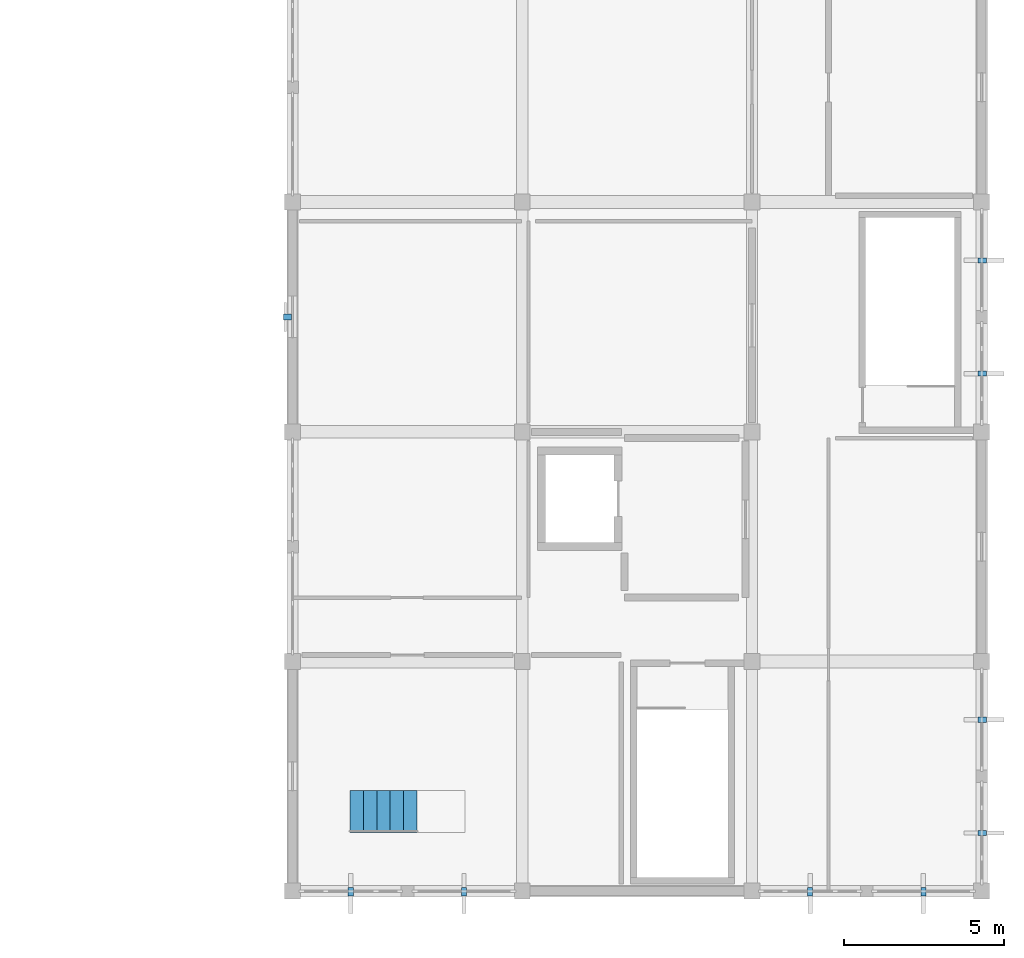
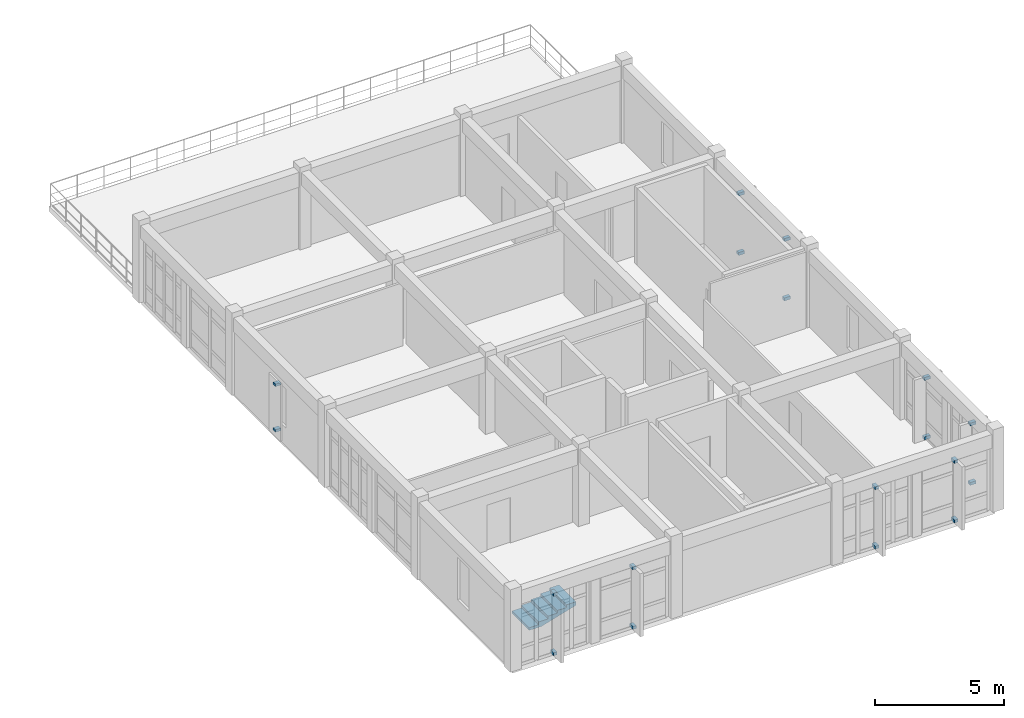
# One storey, part 13 of 14: 18 discrete accessories, 1 stair flight, 1 element without a shape of its own.
"""IFC4 building model written with IfcOpenShell, lengths in metres."""

from ifc_helpers import new_model, si_unit, direction, frame, origin, origin_2d, place, context, subcontext, project, spatial, polyline, rectangle, outline, extrude, material, type_object, element, aggregate, save


model = new_model("IFC4")

# Units and contexts
model_context = context("Model", 3, precision=1e-05, world=origin(), true_north=direction((0.0, 1.0)))
body_context = subcontext(model_context, "Body", "Model", "MODEL_VIEW")
ifc_project = project(units=[si_unit("LENGTHUNIT", "METRE"), si_unit("AREAUNIT", "SQUARE_METRE"), si_unit("VOLUMEUNIT", "CUBIC_METRE"), si_unit("PLANEANGLEUNIT", "RADIAN"), si_unit("MASSUNIT", "GRAM", prefix="KILO")], contexts=[model_context])

# Site, building, storey
site_placement = place(None, origin())
site = spatial("IfcSite", under=ifc_project, at=site_placement, CompositionType="ELEMENT")
building_placement = place(site_placement, origin())
building = spatial("IfcBuilding", under=site, at=building_placement, Name="Koriwan Promenade Central Fire Station", CompositionType="ELEMENT")
storey_placement = place(building_placement, frame((0.0, 0.0, 21.300048828125)))
storey = spatial("IfcBuildingStorey", under=building, at=storey_placement, Name="L05", CompositionType="ELEMENT", Elevation=21.300048828125)

# Stair, stair flight
ifc_material_1 = material(Name="Concrete C35/45", Category="concrete")
stair_type = type_object("IfcStairType", Name="StraightPlatformStair_6R", PredefinedType="STRAIGHT_RUN_STAIR", material=ifc_material_1)
stair_placement = place(storey_placement, origin())
stair = element("IfcStair", 1, at=stair_placement, inside=storey, type_object=stair_type, Name="L05 speaker dais stair SPS-05", PredefinedType="STRAIGHT_RUN_STAIR")
stair_flight_type = type_object("IfcStairFlightType", Name="StraightPlatformFlight_6R", PredefinedType="STRAIGHT", material=ifc_material_1)
stair_flight_placement = place(storey_placement, frame((153.0, 2.5, 0.0), z_axis=(0.0, 0.0, 1.0), x_axis=(1.0, 0.0, 0.0)))
stair_flight = element("IfcStairFlight", 2, at=stair_flight_placement, type_object=stair_flight_type, Name="SPS-05 flight 1", NumberOfRisers=6, NumberOfTreads=5, PredefinedType="STRAIGHT", RiserHeight=0.125, TreadLength=0.42, context=body_context, shape_type="SweptSolid", body=[
    extrude(outline(polyline([(0.0, 0.0), (0.0, 0.125), (0.419921875, 0.125), (0.419921875, 0.25), (0.840087890625, 0.25), (0.840087890625, 0.375), (1.260009765625, 0.375), (1.260009765625, 0.5), (1.679931640625, 0.5), (1.679931640625, 0.625), (2.10009765625, 0.625), (2.10009765625, 0.75), (2.10009765625, 0.458251953125), (0.560546875, 0.0), (0.0, 0.0)])), frame((0.0, 0.66015625, 0.0), z_axis=(0.0, -1.0, 0.0), x_axis=(1.0, 0.0, 0.0)), (0.0, 0.0, 1.0), 1.320068359375),
])
aggregate(stair, [stair_flight])

# Discrete accessories
ifc_material_2 = material(Name="Steel ASTM A572 Grade 50", Category="steel")
discrete_accessory_type_1 = type_object("IfcDiscreteAccessoryType", Name="FacadeBracket_Fin", PredefinedType="BRACKET", material=ifc_material_2)
for number, where, z_axis, x_axis, name in (
    (3, (172.820068359375, 1.824951171875, 0.02001953125), (0.0, 0.0, 1.0), (1.0, 0.0, 0.0), "Solar fin outrigger bracket 101-BOT"),
    (4, (172.820068359375, 1.824951171875, 2.830078125), (0.0, 0.0, 1.0), (1.0, 0.0, 0.0), "Solar fin outrigger bracket 101-TOP"),
    (5, (172.820068359375, 5.375, 0.02001953125), (0.0, 0.0, 1.0), (1.0, 0.0, 0.0), "Solar fin outrigger bracket 102-BOT"),
    (6, (172.820068359375, 5.375, 2.830078125), (0.0, 0.0, 1.0), (1.0, 0.0, 0.0), "Solar fin outrigger bracket 102-TOP"),
    (7, (172.820068359375, 16.22509765625, 0.02001953125), (0.0, 0.0, 1.0), (1.0, 0.0, 0.0), "Solar fin outrigger bracket 103-BOT"),
    (8, (172.820068359375, 16.22509765625, 2.830078125), (0.0, 0.0, 1.0), (1.0, 0.0, 0.0), "Solar fin outrigger bracket 103-TOP"),
    (9, (172.820068359375, 19.77490234375, 0.02001953125), (0.0, 0.0, 1.0), (1.0, 0.0, 0.0), "Solar fin outrigger bracket 104-BOT"),
    (10, (172.820068359375, 19.77490234375, 2.830078125), (0.0, 0.0, 1.0), (1.0, 0.0, 0.0), "Solar fin outrigger bracket 104-TOP"),
    (11, (153.02490234375, -0.02001953125, 0.02001953125), (0.0, 0.0, 1.0), (0.0, -1.0, 0.0), "Solar fin outrigger bracket 105-BOT"),
    (12, (153.02490234375, -0.02001953125, 2.830078125), (0.0, 0.0, 1.0), (0.0, -1.0, 0.0), "Solar fin outrigger bracket 105-TOP"),
    (13, (156.574951171875, -0.02001953125, 0.02001953125), (0.0, 0.0, 1.0), (0.0, -1.0, 0.0), "Solar fin outrigger bracket 106-BOT"),
    (14, (156.574951171875, -0.02001953125, 2.830078125), (0.0, 0.0, 1.0), (0.0, -1.0, 0.0), "Solar fin outrigger bracket 106-TOP"),
    (15, (167.425048828125, -0.02001953125, 0.02001953125), (0.0, 0.0, 1.0), (0.0, -1.0, 0.0), "Solar fin outrigger bracket 107-BOT"),
    (16, (167.425048828125, -0.02001953125, 2.830078125), (0.0, 0.0, 1.0), (0.0, -1.0, 0.0), "Solar fin outrigger bracket 107-TOP"),
    (17, (170.97509765625, -0.02001953125, 0.02001953125), (0.0, 0.0, 1.0), (0.0, -1.0, 0.0), "Solar fin outrigger bracket 108-BOT"),
    (18, (170.97509765625, -0.02001953125, 2.830078125), (0.0, 0.0, 1.0), (0.0, -1.0, 0.0), "Solar fin outrigger bracket 108-TOP"),
):
    element("IfcDiscreteAccessory", number, at=place(storey_placement, frame(where, z_axis=z_axis, x_axis=x_axis)), inside=storey, type_object=discrete_accessory_type_1, Name=name, PredefinedType="BRACKET", context=body_context, shape_type="SweptSolid", body=[
        extrude(rectangle(XDim=0.260009765625, YDim=0.159912109375, at=origin_2d()), origin(), (0.0, 0.0, 1.0), 0.139892578125),
    ])
discrete_accessory_type_2 = type_object("IfcDiscreteAccessoryType", Name="FacadeBracket_Jali", PredefinedType="BRACKET", material=ifc_material_2)
for number, where, z_axis, x_axis, name in (
    (19, (151.0400390625, 18.0, 0.35498046875), (0.0, 0.0, 1.0), (-1.0, 0.0, 0.0), "Jali corbel bracket 017-B"),
    (20, (151.0400390625, 18.0, 2.514892578125), (0.0, 0.0, 1.0), (-1.0, 0.0, 0.0), "Jali corbel bracket 017-T"),
):
    element("IfcDiscreteAccessory", number, at=place(storey_placement, frame(where, z_axis=z_axis, x_axis=x_axis)), inside=storey, type_object=discrete_accessory_type_2, Name=name, PredefinedType="BRACKET", context=body_context, shape_type="SweptSolid", body=[
        extrude(rectangle(XDim=0.239990234375, YDim=0.179931640625, at=origin_2d()), origin(), (0.0, 0.0, 1.0), 0.1201171875),
    ])

save(model, "model.ifc")
